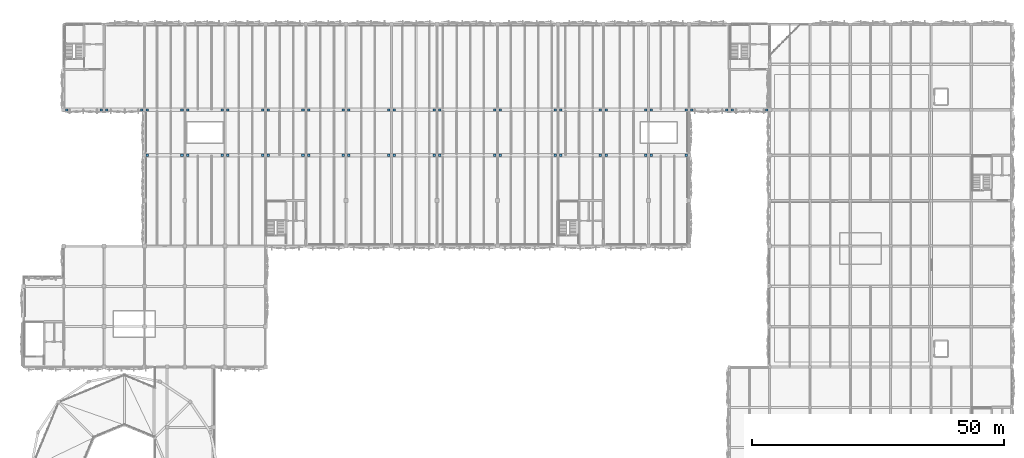
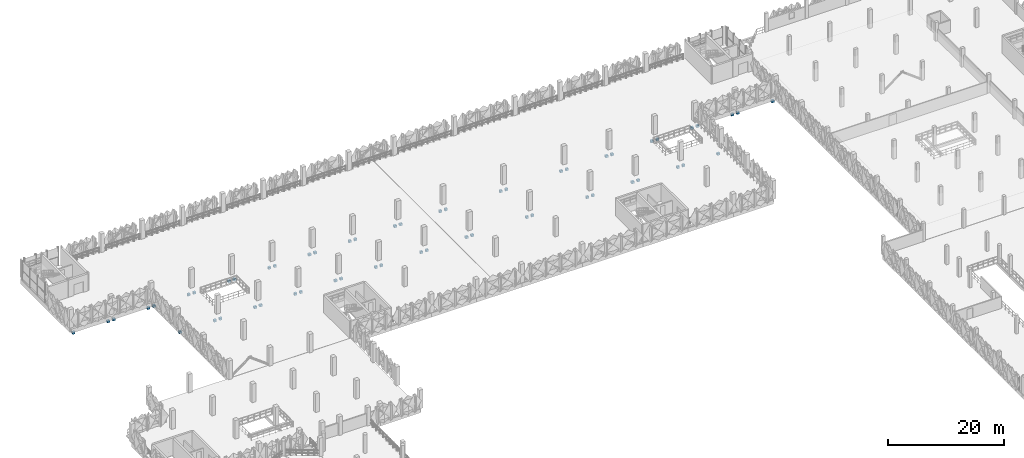
# One storey, part 51 of 83: 56 discrete accessories.
"""IFC4 building model written with IfcOpenShell, lengths in metres."""

import ifcopenshell
import ifcopenshell.guid

model = None  # the IFC model being written
_history = None  # IfcOwnerHistory: only IFC2X3 demands one
_inside = {}  # id of a spatial element -> (the spatial element, [elements in it])
_under = {}  # id of a project, library or spatial element -> (it, [spatial elements below it])
_declared = {}  # id of a project -> (the project, [libraries it declares])
_typed = {}  # id of a type object -> (the type object, [elements of that type])
_made_of = {}  # id of a material, layer set ... -> (it, [elements and type objects made of it])


def new_model(schema):
    """Start an empty IFC model of exactly this schema.

    Asked for "IFC4X3", IfcOpenShell would pick the latest addendum, in which some entities
    have other attributes; the version numbers below select the first issue.
    IFC2X3 requires an IfcOwnerHistory on every rooted entity: one is made here for all.
    """
    global model, _history
    if schema == "IFC4X3":
        model = ifcopenshell.file(schema_version=(4, 3, 0, 0))
    else:
        model = ifcopenshell.file(schema=schema)
    _inside.clear()
    _under.clear()
    _declared.clear()
    _typed.clear()
    _made_of.clear()
    _history = None
    if model.schema == "IFC2X3":
        org = make("IfcOrganization", Name="unknown")
        user = make(
            "IfcPersonAndOrganization",
            ThePerson=make("IfcPerson", FamilyName="unknown"),
            TheOrganization=org,
        )
        app = make(
            "IfcApplication",
            ApplicationDeveloper=org,
            Version="unknown",
            ApplicationFullName="unknown",
            ApplicationIdentifier="unknown",
        )
        _history = make(
            "IfcOwnerHistory",
            OwningUser=user,
            OwningApplication=app,
            ChangeAction="ADDED",
            CreationDate=0,
        )
    return model


def make(cls, **values):
    """One entity of the class cls with the attributes given. An attribute that is None is left unset."""
    return model.create_entity(
        cls, **{name: value for name, value in values.items() if value is not None}
    )


def rooted(cls, **values):
    """An entity with a GlobalId (a new one), such as an element, a storey or a relation."""
    return make(cls, GlobalId=ifcopenshell.guid.new(), OwnerHistory=_history, **values)


def si_unit(unit_type, name, prefix=None):
    """IfcSIUnit, for example si_unit("LENGTHUNIT", "METRE", prefix="MILLI")."""
    return make("IfcSIUnit", UnitType=unit_type, Prefix=prefix, Name=name)


def derived_unit(unit_type, elements):
    """IfcDerivedUnit: a product of units, each with its exponent."""
    return make(
        "IfcDerivedUnit",
        Elements=[
            make("IfcDerivedUnitElement", Unit=unit, Exponent=power)
            for unit, power in elements
        ],
        UnitType=unit_type,
    )


def assignment(units):
    """IfcUnitAssignment: the units of a project."""
    return None if units is None else make("IfcUnitAssignment", Units=units)


def point(xyz):
    """IfcCartesianPoint."""
    return None if xyz is None else make("IfcCartesianPoint", Coordinates=xyz)


def direction(xyz):
    """IfcDirection."""
    return None if xyz is None else make("IfcDirection", DirectionRatios=xyz)


def frame(location, z_axis=None, x_axis=None):
    """IfcAxis2Placement3D, a coordinate frame: its origin and axes. An axis left out is left unset."""
    return make(
        "IfcAxis2Placement3D",
        Location=point(location),
        Axis=direction(z_axis),
        RefDirection=direction(x_axis),
    )


def frame_2d(location, x_axis=None):
    """IfcAxis2Placement2D, a coordinate frame in the plane: its origin and x axis."""
    return make(
        "IfcAxis2Placement2D", Location=point(location), RefDirection=direction(x_axis)
    )


def origin():
    """The frame at (0, 0, 0) with its axes left unset."""
    return frame((0.0, 0.0, 0.0))


def origin_2d():
    """The frame at (0, 0) in the plane with its x axis left unset."""
    return frame_2d((0.0, 0.0))


def place(relative_to, where):
    """IfcLocalPlacement: puts the frame where relative to a parent placement (None: the world)."""
    return make(
        "IfcLocalPlacement", PlacementRelTo=relative_to, RelativePlacement=where
    )


def context(
    kind, dimensions, precision=None, world=None, true_north=None, identifier=None
):
    """IfcGeometricRepresentationContext, for example the 3D "Model" context."""
    return make(
        "IfcGeometricRepresentationContext",
        ContextIdentifier=identifier,
        ContextType=kind,
        CoordinateSpaceDimension=dimensions,
        Precision=precision,
        WorldCoordinateSystem=world,
        TrueNorth=true_north,
    )


def subcontext(parent, identifier, kind, view, scale=None):
    """IfcGeometricRepresentationSubContext, for example "Body" below "Model"."""
    return make(
        "IfcGeometricRepresentationSubContext",
        ContextIdentifier=identifier,
        ContextType=kind,
        ParentContext=parent,
        TargetScale=scale,
        TargetView=view,
    )


def project(units=None, contexts=None):
    """IfcProject with its units and contexts."""
    return rooted(
        "IfcProject",
        Name="project",
        RepresentationContexts=contexts,
        UnitsInContext=assignment(units),
    )


def spatial(cls, under=None, at=None, **own):
    """A site, building, storey or space (cls), placed at a placement, below another one or the project."""
    s = rooted(cls, ObjectPlacement=at, **own)
    if under is not None:
        _under.setdefault(under.id(), (under, []))[1].append(s)
    return s


def profile(cls, at=None, kind="AREA", **sizes):
    """A parametric profile (cls). Its sizes go by their IFC names, for example OverallWidth=200.0."""
    return make(cls, ProfileType=kind, Position=at, **sizes)


def rectangle(**sizes):
    """IfcRectangleProfileDef."""
    return profile("IfcRectangleProfileDef", **sizes)


def extrude(swept, where, along, depth):
    """IfcExtrudedAreaSolid: the profile swept, set in the frame where, extruded along a direction by depth."""
    return make(
        "IfcExtrudedAreaSolid",
        SweptArea=swept,
        Position=where,
        ExtrudedDirection=direction(along),
        Depth=depth,
    )


def shape(context_of_items, identifier, shape_type, items):
    """IfcShapeRepresentation: the items that make up one representation, for example the "Body"."""
    return make(
        "IfcShapeRepresentation",
        ContextOfItems=context_of_items,
        RepresentationIdentifier=identifier,
        RepresentationType=shape_type,
        Items=items,
    )


def material(Name=None, Category=None):
    """IfcMaterial."""
    return make("IfcMaterial", Name=Name, Category=Category)


def made_of(thing, what):
    """Note that an element or type object is made of a material, layer set ...; save() writes the relation."""
    if what is not None:
        _made_of.setdefault(what.id(), (what, []))[1].append(thing)
    return thing


def type_object(cls, material=None, **own):
    """A type object (cls), such as IfcWallType, which elements share."""
    return made_of(rooted(cls, **own), material)


def element(
    cls,
    number,
    at=None,
    inside=None,
    cuts=None,
    type_object=None,
    material=None,
    context=None,
    identifier="Body",
    shape_type=None,
    held_by="IfcProductDefinitionShape",
    body=None,
    shapes=None,
    **own,
):
    """One element of the class cls, such as IfcWall. Its Tag is "e" and its number.

    at: its placement. inside: the storey or other place that contains it. cuts: it is an
    opening in that element (IfcRelVoidsElement). A single representation is given by context,
    identifier, shape_type and body (its items); several are given by shapes. held_by: the class
    of the entity that holds the representations. save() writes the other relations.
    """
    e = rooted(cls, Tag="e%d" % number, ObjectPlacement=at, **own)
    if body is not None:
        shapes = [shape(context, identifier, shape_type, body)]
    if shapes is not None:
        e.Representation = make(held_by, Representations=shapes)
    if inside is not None:
        _inside.setdefault(inside.id(), (inside, []))[1].append(e)
    if cuts is not None:
        rooted(
            "IfcRelVoidsElement", RelatingBuildingElement=cuts, RelatedOpeningElement=e
        )
    if type_object is not None:
        _typed.setdefault(type_object.id(), (type_object, []))[1].append(e)
    return made_of(e, material)


def aggregate(whole, parts):
    """IfcRelAggregates: a whole, such as a stair, and the parts it consists of."""
    return rooted("IfcRelAggregates", RelatingObject=whole, RelatedObjects=parts)


def save(model, path):
    """Write the relations noted so far, then the file.

    IfcRelAggregates (storeys below a building ...), IfcRelContainedInSpatialStructure (elements
    in a storey), IfcRelDefinesByType, IfcRelAssociatesMaterial and IfcRelDeclares: one each for
    every whole, place, type object, material and project.
    """
    for whole, parts in _under.values():
        aggregate(whole, parts)
    for where, things in _inside.values():
        rooted(
            "IfcRelContainedInSpatialStructure",
            RelatedElements=things,
            RelatingStructure=where,
        )
    for kind, things in _typed.values():
        rooted("IfcRelDefinesByType", RelatedObjects=things, RelatingType=kind)
    for what, things in _made_of.values():
        rooted("IfcRelAssociatesMaterial", RelatedObjects=things, RelatingMaterial=what)
    for by, libraries in _declared.values():
        rooted("IfcRelDeclares", RelatingContext=by, RelatedDefinitions=libraries)
    model.write(path)


model = new_model("IFC4")

# Units and contexts
model_context = context("Model", 3, precision=1e-05, world=origin(), true_north=direction((0.0, 1.0)))
body_context = subcontext(model_context, "Body", "Model", "MODEL_VIEW")
ifc_project = project(units=[si_unit("LENGTHUNIT", "METRE"), si_unit("AREAUNIT", "SQUARE_METRE"), si_unit("VOLUMEUNIT", "CUBIC_METRE"), si_unit("PLANEANGLEUNIT", "RADIAN"), si_unit("MASSUNIT", "GRAM", prefix="KILO"), si_unit("THERMODYNAMICTEMPERATUREUNIT", "KELVIN"), derived_unit("THERMALTRANSMITTANCEUNIT", [(si_unit("POWERUNIT", "WATT"), 1), (si_unit("AREAUNIT", "SQUARE_METRE"), -1), (si_unit("THERMODYNAMICTEMPERATUREUNIT", "KELVIN"), -1)])], contexts=[model_context])

# Site, building, storey
site_placement = place(None, origin())
site = spatial("IfcSite", under=ifc_project, at=site_placement, CompositionType="ELEMENT")
building_placement = place(site_placement, origin())
building = spatial("IfcBuilding", under=site, at=building_placement, Name="Haiyu Intermodal Mobility Hub", CompositionType="ELEMENT")
storey_placement = place(building_placement, frame((0.0, 0.0, 13.39990234375)))
storey = spatial("IfcBuildingStorey", under=building, at=storey_placement, Name="L03", CompositionType="ELEMENT", Elevation=13.39990234375)

# Discrete accessories
ifc_material = material(Name="Precast concrete C50", Category="concrete")
discrete_accessory_type = type_object("IfcDiscreteAccessoryType", Name="ACC-BK01", PredefinedType="BRACKET", material=ifc_material)
for number, where, z_axis, x_axis, name in (
    (1, (38.550048828125, 122.0, -1.625), (0.0, 0.0, 1.0), (1.0, 0.0, 0.0), "BRK-IT-0121"),
    (2, (45.449951171875, 122.0, -1.625), (0.0, 0.0, 1.0), (1.0, 0.0, 0.0), "BRK-IT-0122"),
    (3, (46.550048828125, 122.0, -1.625), (0.0, 0.0, 1.0), (1.0, 0.0, 0.0), "BRK-IT-0123"),
    (4, (53.449951171875, 122.0, -1.625), (0.0, 0.0, 1.0), (1.0, 0.0, 0.0), "BRK-IT-0124"),
    (5, (54.550048828125, 122.0, -1.625), (0.0, 0.0, 1.0), (1.0, 0.0, 0.0), "BRK-IT-0125"),
    (6, (61.449951171875, 122.0, -1.625), (0.0, 0.0, 1.0), (1.0, 0.0, 0.0), "BRK-IT-0126"),
    (7, (62.550048828125, 122.0, -1.625), (0.0, 0.0, 1.0), (1.0, 0.0, 0.0), "BRK-IT-0127"),
    (8, (69.449951171875, 122.0, -1.625), (0.0, 0.0, 1.0), (1.0, 0.0, 0.0), "BRK-IT-0128"),
    (9, (70.550048828125, 122.0, -1.625), (0.0, 0.0, 1.0), (1.0, 0.0, 0.0), "BRK-IT-0129"),
    (10, (77.449951171875, 122.0, -1.625), (0.0, 0.0, 1.0), (1.0, 0.0, 0.0), "BRK-IT-0130"),
    (11, (78.550048828125, 122.0, -1.625), (0.0, 0.0, 1.0), (1.0, 0.0, 0.0), "BRK-IT-0131"),
    (12, (86.449951171875, 122.0, -1.625), (0.0, 0.0, 1.0), (1.0, 0.0, 0.0), "BRK-IT-0132"),
    (13, (87.550048828125, 122.0, -1.625), (0.0, 0.0, 1.0), (1.0, 0.0, 0.0), "BRK-IT-0133"),
    (14, (95.449951171875, 122.0, -1.625), (0.0, 0.0, 1.0), (1.0, 0.0, 0.0), "BRK-IT-0134"),
    (15, (96.550048828125, 122.0, -1.625), (0.0, 0.0, 1.0), (1.0, 0.0, 0.0), "BRK-IT-0135"),
    (16, (107.449951171875, 122.0, -1.625), (0.0, 0.0, 1.0), (1.0, 0.0, 0.0), "BRK-IT-0136"),
    (17, (108.550048828125, 122.0, -1.625), (0.0, 0.0, 1.0), (1.0, 0.0, 0.0), "BRK-IT-0137"),
    (18, (119.449951171875, 122.0, -1.625), (0.0, 0.0, 1.0), (1.0, 0.0, 0.0), "BRK-IT-0138"),
    (19, (120.550048828125, 122.0, -1.625), (0.0, 0.0, 1.0), (1.0, 0.0, 0.0), "BRK-IT-0139"),
    (20, (128.449951171875, 122.0, -1.625), (0.0, 0.0, 1.0), (1.0, 0.0, 0.0), "BRK-IT-0140"),
    (21, (129.550048828125, 122.0, -1.625), (0.0, 0.0, 1.0), (1.0, 0.0, 0.0), "BRK-IT-0141"),
    (22, (137.449951171875, 122.0, -1.625), (0.0, 0.0, 1.0), (1.0, 0.0, 0.0), "BRK-IT-0142"),
    (23, (138.550048828125, 122.0, -1.625), (0.0, 0.0, 1.0), (1.0, 0.0, 0.0), "BRK-IT-0143"),
    (24, (145.449951171875, 122.0, -1.625), (0.0, 0.0, 1.0), (1.0, 0.0, 0.0), "BRK-IT-0144"),
    (25, (22.550048828125, 131.0, -1.625), (0.0, 0.0, 1.0), (1.0, 0.0, 0.0), "BRK-IT-0145"),
    (26, (29.449951171875, 131.0, -1.625), (0.0, 0.0, 1.0), (1.0, 0.0, 0.0), "BRK-IT-0146"),
    (27, (30.550048828125, 131.0, -1.625), (0.0, 0.0, 1.0), (1.0, 0.0, 0.0), "BRK-IT-0147"),
    (28, (37.449951171875, 131.0, -1.625), (0.0, 0.0, 1.0), (1.0, 0.0, 0.0), "BRK-IT-0148"),
    (29, (38.550048828125, 131.0, -1.625), (0.0, 0.0, 1.0), (1.0, 0.0, 0.0), "BRK-IT-0149"),
    (30, (45.449951171875, 131.0, -1.625), (0.0, 0.0, 1.0), (1.0, 0.0, 0.0), "BRK-IT-0150"),
    (31, (46.550048828125, 131.0, -1.625), (0.0, 0.0, 1.0), (1.0, 0.0, 0.0), "BRK-IT-0151"),
    (32, (53.449951171875, 131.0, -1.625), (0.0, 0.0, 1.0), (1.0, 0.0, 0.0), "BRK-IT-0152"),
    (33, (54.550048828125, 131.0, -1.625), (0.0, 0.0, 1.0), (1.0, 0.0, 0.0), "BRK-IT-0153"),
    (34, (61.449951171875, 131.0, -1.625), (0.0, 0.0, 1.0), (1.0, 0.0, 0.0), "BRK-IT-0154"),
    (35, (62.550048828125, 131.0, -1.625), (0.0, 0.0, 1.0), (1.0, 0.0, 0.0), "BRK-IT-0155"),
    (36, (69.449951171875, 131.0, -1.625), (0.0, 0.0, 1.0), (1.0, 0.0, 0.0), "BRK-IT-0156"),
    (37, (70.550048828125, 131.0, -1.625), (0.0, 0.0, 1.0), (1.0, 0.0, 0.0), "BRK-IT-0157"),
    (38, (77.449951171875, 131.0, -1.625), (0.0, 0.0, 1.0), (1.0, 0.0, 0.0), "BRK-IT-0158"),
    (39, (78.550048828125, 131.0, -1.625), (0.0, 0.0, 1.0), (1.0, 0.0, 0.0), "BRK-IT-0159"),
    (40, (86.449951171875, 131.0, -1.625), (0.0, 0.0, 1.0), (1.0, 0.0, 0.0), "BRK-IT-0160"),
    (41, (87.550048828125, 131.0, -1.625), (0.0, 0.0, 1.0), (1.0, 0.0, 0.0), "BRK-IT-0161"),
    (42, (95.449951171875, 131.0, -1.625), (0.0, 0.0, 1.0), (1.0, 0.0, 0.0), "BRK-IT-0162"),
    (43, (96.550048828125, 131.0, -1.625), (0.0, 0.0, 1.0), (1.0, 0.0, 0.0), "BRK-IT-0163"),
    (44, (107.449951171875, 131.0, -1.625), (0.0, 0.0, 1.0), (1.0, 0.0, 0.0), "BRK-IT-0164"),
    (45, (108.550048828125, 131.0, -1.625), (0.0, 0.0, 1.0), (1.0, 0.0, 0.0), "BRK-IT-0165"),
    (46, (119.449951171875, 131.0, -1.625), (0.0, 0.0, 1.0), (1.0, 0.0, 0.0), "BRK-IT-0166"),
    (47, (120.550048828125, 131.0, -1.625), (0.0, 0.0, 1.0), (1.0, 0.0, 0.0), "BRK-IT-0167"),
    (48, (128.449951171875, 131.0, -1.625), (0.0, 0.0, 1.0), (1.0, 0.0, 0.0), "BRK-IT-0168"),
    (49, (129.550048828125, 131.0, -1.625), (0.0, 0.0, 1.0), (1.0, 0.0, 0.0), "BRK-IT-0169"),
    (50, (137.449951171875, 131.0, -1.625), (0.0, 0.0, 1.0), (1.0, 0.0, 0.0), "BRK-IT-0170"),
    (51, (138.550048828125, 131.0, -1.625), (0.0, 0.0, 1.0), (1.0, 0.0, 0.0), "BRK-IT-0171"),
    (52, (145.449951171875, 131.0, -1.625), (0.0, 0.0, 1.0), (1.0, 0.0, 0.0), "BRK-IT-0172"),
    (53, (146.550048828125, 131.0, -1.625), (0.0, 0.0, 1.0), (1.0, 0.0, 0.0), "BRK-IT-0173"),
    (54, (153.449951171875, 131.0, -1.625), (0.0, 0.0, 1.0), (1.0, 0.0, 0.0), "BRK-IT-0174"),
    (55, (154.550048828125, 131.0, -1.625), (0.0, 0.0, 1.0), (1.0, 0.0, 0.0), "BRK-IT-0175"),
    (56, (161.449951171875, 131.0, -1.625), (0.0, 0.0, 1.0), (1.0, 0.0, 0.0), "BRK-IT-0176"),
):
    element("IfcDiscreteAccessory", number, at=place(storey_placement, frame(where, z_axis=z_axis, x_axis=x_axis)), inside=storey, type_object=discrete_accessory_type, Name=name, PredefinedType="BRACKET", context=body_context, shape_type="SweptSolid", body=[
        extrude(rectangle(XDim=0.5, YDim=0.419921875, at=origin_2d()), origin(), (0.0, 0.0, 1.0), 0.449951171875),
    ])

save(model, "model.ifc")
